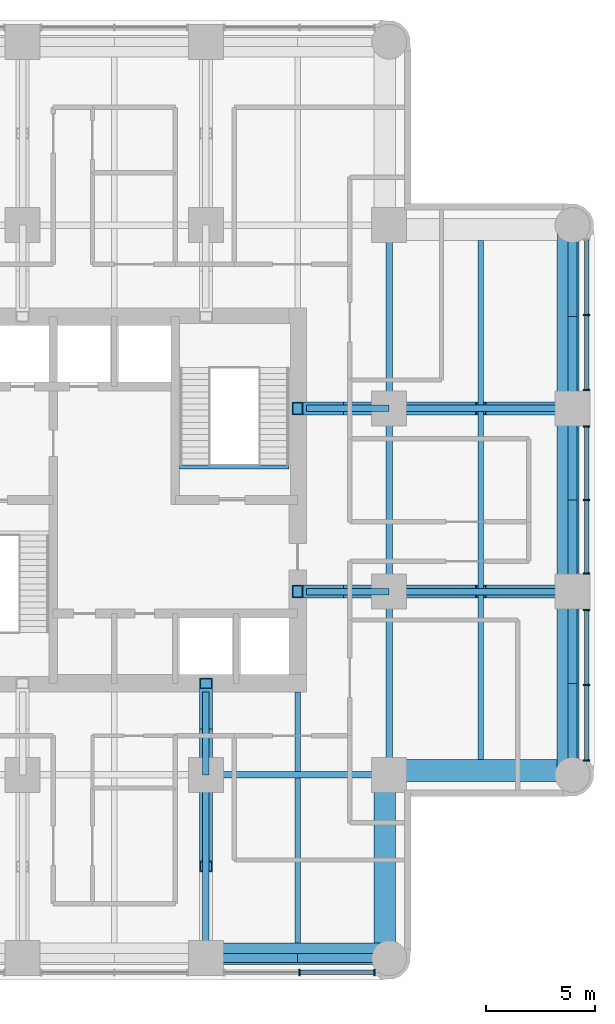
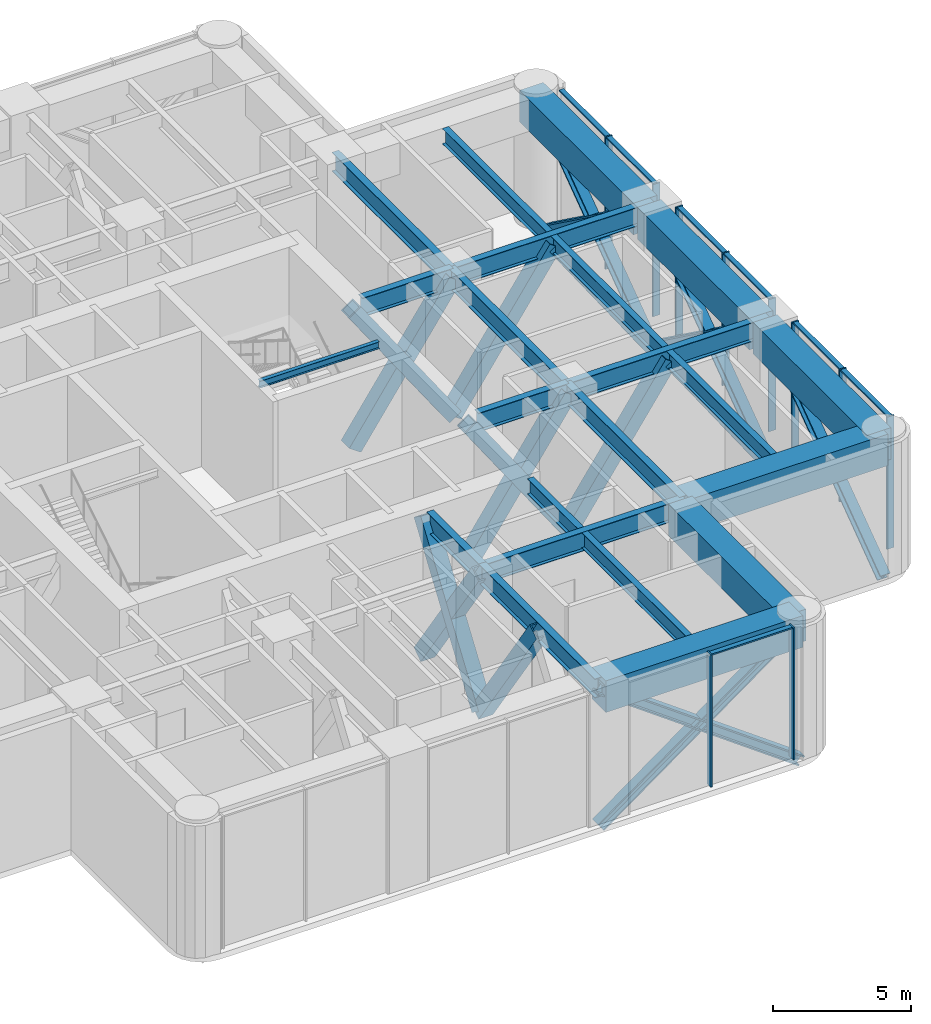
# One storey, part 4 of 12: 36 members, 22 beams, 2 elements without a shape of their own.
"""IFC4 building model written with IfcOpenShell, lengths in metres."""

from ifc_helpers import new_model, si_unit, direction, frame, origin, origin_2d, place, context, subcontext, project, spatial, rectangle, hollow_rectangle, i_section, extrude, material, material_profile, profile_set, type_object, element, aggregate, save


model = new_model("IFC4")

# Units and contexts
model_context = context("Model", 3, precision=1e-05, world=origin(), true_north=direction((0.0, 1.0)))
body_context = subcontext(model_context, "Body", "Model", "MODEL_VIEW")
ifc_project = project(units=[si_unit("LENGTHUNIT", "METRE"), si_unit("AREAUNIT", "SQUARE_METRE"), si_unit("VOLUMEUNIT", "CUBIC_METRE"), si_unit("PLANEANGLEUNIT", "RADIAN"), si_unit("MASSUNIT", "GRAM", prefix="KILO")], contexts=[model_context])

# Site, building, storey
site_placement = place(None, origin())
site = spatial("IfcSite", under=ifc_project, at=site_placement, CompositionType="ELEMENT")
building_placement = place(site_placement, origin())
building = spatial("IfcBuilding", under=site, at=building_placement, Name="Torre Alcanfor", CompositionType="ELEMENT")
storey_placement = place(building_placement, frame((0.0, 0.0, 248.10009765625)))
storey = spatial("IfcBuildingStorey", under=building, at=storey_placement, Name="L65", CompositionType="ELEMENT", Elevation=248.10009765625)

# Members
ifc_material_1 = material(Name="Steel ASTM A992 Grade 50", Category="steel")
ifc_material_profile_1 = material_profile(ifc_material_1, i_section(OverallWidth=0.411376953125, OverallDepth=0.434326171875, WebThickness=0.035888671875, FlangeThickness=0.057373046875, at=origin_2d()), Name="W14x311")
ifc_profile_set_1 = profile_set([ifc_material_profile_1], Name="Steel ASTM A992 Grade 50")
member_type_1 = type_object("IfcMemberType", Name="Belt truss diagonal W14x311", PredefinedType="BRACE", material=ifc_profile_set_1)
for number, where, z_axis, x_axis, name in (
    (1, (50.39990234375, 16.800048828125, -0.650146484375), (0.0, 0.809144712888, 0.587609422665), (-1.0, 0.0, 0.0), "Belt truss L65 E arm panel 1 diagonal A"),
    (2, (50.39990234375, 25.199951171875, -0.650146484375), (0.0, -0.809144712888, 0.587609422665), (1.0, 0.0, 0.0), "Belt truss L65 E arm panel 1 diagonal B"),
):
    element("IfcMember", number, at=place(storey_placement, frame(where, z_axis=z_axis, x_axis=x_axis)), inside=storey, type_object=member_type_1, Name=name, PredefinedType="BRACE", context=body_context, shape_type="SweptSolid", body=[
        extrude(i_section(OverallWidth=0.411376953125, OverallDepth=0.434326171875, WebThickness=0.035888671875, FlangeThickness=0.057373046875, at=origin_2d()), origin(), (0.0, 0.0, 1.0), 10.381103515625),
    ])
for number, where, z_axis, x_axis, name in (
    (3, (50.39990234375, 25.199951171875, -0.650146484375), (0.0, 0.809152832909, 0.587598241144), (-1.0, 0.0, 0.0), "Belt truss L65 E arm panel 2 diagonal A"),
    (4, (50.39990234375, 33.60009765625, -0.650146484375), (0.0, -0.809152832909, 0.587598241144), (1.0, 0.0, 0.0), "Belt truss L65 E arm panel 2 diagonal B"),
):
    element("IfcMember", number, at=place(storey_placement, frame(where, z_axis=z_axis, x_axis=x_axis)), inside=storey, type_object=member_type_1, Name=name, PredefinedType="BRACE", context=body_context, shape_type="SweptSolid", body=[
        extrude(i_section(OverallWidth=0.411376953125, OverallDepth=0.434326171875, WebThickness=0.035888671875, FlangeThickness=0.057373046875, at=origin_2d()), origin(), (0.0, 0.0, 1.0), 10.38134765625),
    ])
for number, where, z_axis, x_axis, name in (
    (5, (50.39990234375, 33.60009765625, -0.650146484375), (0.0, 0.809144712888, 0.587609422665), (-1.0, 0.0, 0.0), "Belt truss L65 E arm panel 3 diagonal A"),
    (6, (50.39990234375, 42.0, -0.650146484375), (0.0, -0.809144712888, 0.587609422665), (1.0, 0.0, 0.0), "Belt truss L65 E arm panel 3 diagonal B"),
    (7, (33.60009765625, 8.39990234375, -0.650146484375), (0.809144712888, 0.0, 0.587609422665), (0.0, 1.0, 0.0), "Belt truss L65 S arm panel 3 diagonal A"),
    (8, (42.0, 8.39990234375, -0.650146484375), (-0.809144712888, 0.0, 0.587609422665), (0.0, -1.0, 0.0), "Belt truss L65 S arm panel 3 diagonal B"),
):
    element("IfcMember", number, at=place(storey_placement, frame(where, z_axis=z_axis, x_axis=x_axis)), inside=storey, type_object=member_type_1, Name=name, PredefinedType="BRACE", context=body_context, shape_type="SweptSolid", body=[
        extrude(i_section(OverallWidth=0.411376953125, OverallDepth=0.434326171875, WebThickness=0.035888671875, FlangeThickness=0.057373046875, at=origin_2d()), origin(), (0.0, 0.0, 1.0), 10.381103515625),
    ])

# Curtain wall, members
ifc_material_2 = material(Name="Aluminium and glass", Category="aluminium")
curtain_wall_type = type_object("IfcCurtainWallType", Name="CW-D plant floor louvre screen", PredefinedType="NOTDEFINED", material=ifc_material_2)
curtain_wall_1_placement = place(storey_placement, origin())
curtain_wall_1 = element("IfcCurtainWall", 9, at=curtain_wall_1_placement, inside=storey, type_object=curtain_wall_type, Name="Curtain wall CW-D L65 5", PredefinedType="NOTDEFINED")
ifc_material_3 = material(Name="Extruded aluminium", Category="aluminium")
ifc_material_profile_2 = material_profile(ifc_material_3, rectangle(XDim=0.300048828125, YDim=0.06494140625, at=origin_2d()), Name="CW-D mullion 65x300")
ifc_profile_set_2 = profile_set([ifc_material_profile_2], Name="Extruded aluminium")
member_type_2 = type_object("IfcMemberType", Name="CW-D mullion 65x300", PredefinedType="MULLION", material=ifc_profile_set_2)
member_1_placement = place(storey_placement, frame((37.88720703125, 7.75, 0.0), z_axis=(0.0, 0.0, 1.0), x_axis=(0.0, 1.0, 0.0)))
member_1 = element("IfcMember", 10, at=member_1_placement, type_object=member_type_2, Name="CW-D mullion 3.2", PredefinedType="MULLION", context=body_context, shape_type="SweptSolid", body=[
    extrude(rectangle(XDim=0.300048828125, YDim=0.06494140625, at=origin_2d()), origin(), (0.0, 0.0, 1.0), 5.849853515625),
])
member_2_placement = place(storey_placement, frame((41.336669921875, 7.75, 0.0), z_axis=(0.0, 0.0, 1.0), x_axis=(0.0, 1.0, 0.0)))
member_2 = element("IfcMember", 11, at=member_2_placement, type_object=member_type_2, Name="CW-D mullion 3.3", PredefinedType="MULLION", context=body_context, shape_type="SweptSolid", body=[
    extrude(rectangle(XDim=0.300048828125, YDim=0.06494140625, at=origin_2d()), origin(), (0.0, 0.0, 1.0), 5.849853515625),
])

curtain_wall_2_placement = place(storey_placement, origin())
curtain_wall_2 = element("IfcCurtainWall", 12, at=curtain_wall_2_placement, inside=storey, type_object=curtain_wall_type, Name="Curtain wall CW-D L65 8", PredefinedType="NOTDEFINED")
member_3_placement = place(storey_placement, frame((51.050048828125, 17.46337890625, 0.0), z_axis=(0.0, 0.0, 1.0), x_axis=(-1.0, 0.0, 0.0)))
member_3 = element("IfcMember", 13, at=member_3_placement, type_object=member_type_2, Name="CW-D mullion 1.1", PredefinedType="MULLION", context=body_context, shape_type="SweptSolid", body=[
    extrude(rectangle(XDim=0.300048828125, YDim=0.06494140625, at=origin_2d()), origin(), (0.0, 0.0, 1.0), 5.849853515625),
])
member_4_placement = place(storey_placement, frame((51.050048828125, 20.912841796875, 0.0), z_axis=(0.0, 0.0, 1.0), x_axis=(-1.0, 0.0, 0.0)))
member_4 = element("IfcMember", 14, at=member_4_placement, type_object=member_type_2, Name="CW-D mullion 1.2", PredefinedType="MULLION", context=body_context, shape_type="SweptSolid", body=[
    extrude(rectangle(XDim=0.300048828125, YDim=0.06494140625, at=origin_2d()), origin(), (0.0, 0.0, 1.0), 5.849853515625),
])
member_5_placement = place(storey_placement, frame((51.050048828125, 24.362548828125, 0.0), z_axis=(0.0, 0.0, 1.0), x_axis=(-1.0, 0.0, 0.0)))
member_5 = element("IfcMember", 15, at=member_5_placement, type_object=member_type_2, Name="CW-D mullion 1.3", PredefinedType="MULLION", context=body_context, shape_type="SweptSolid", body=[
    extrude(rectangle(XDim=0.300048828125, YDim=0.06494140625, at=origin_2d()), origin(), (0.0, 0.0, 1.0), 5.849853515625),
])
member_6_placement = place(storey_placement, frame((51.050048828125, 26.03759765625, 0.0), z_axis=(0.0, 0.0, 1.0), x_axis=(-1.0, 0.0, 0.0)))
member_6 = element("IfcMember", 16, at=member_6_placement, type_object=member_type_2, Name="CW-D mullion 2.1", PredefinedType="MULLION", context=body_context, shape_type="SweptSolid", body=[
    extrude(rectangle(XDim=0.300048828125, YDim=0.06494140625, at=origin_2d()), origin(), (0.0, 0.0, 1.0), 5.849853515625),
])
member_7_placement = place(storey_placement, frame((51.050048828125, 29.39990234375, 0.0), z_axis=(0.0, 0.0, 1.0), x_axis=(-1.0, 0.0, 0.0)))
member_7 = element("IfcMember", 17, at=member_7_placement, type_object=member_type_2, Name="CW-D mullion 2.2", PredefinedType="MULLION", context=body_context, shape_type="SweptSolid", body=[
    extrude(rectangle(XDim=0.300048828125, YDim=0.06494140625, at=origin_2d()), origin(), (0.0, 0.0, 1.0), 5.849853515625),
])
member_8_placement = place(storey_placement, frame((51.050048828125, 32.762451171875, 0.0), z_axis=(0.0, 0.0, 1.0), x_axis=(-1.0, 0.0, 0.0)))
member_8 = element("IfcMember", 18, at=member_8_placement, type_object=member_type_2, Name="CW-D mullion 2.3", PredefinedType="MULLION", context=body_context, shape_type="SweptSolid", body=[
    extrude(rectangle(XDim=0.300048828125, YDim=0.06494140625, at=origin_2d()), origin(), (0.0, 0.0, 1.0), 5.849853515625),
])
member_9_placement = place(storey_placement, frame((51.050048828125, 34.4375, 0.0), z_axis=(0.0, 0.0, 1.0), x_axis=(-1.0, 0.0, 0.0)))
member_9 = element("IfcMember", 19, at=member_9_placement, type_object=member_type_2, Name="CW-D mullion 3.1", PredefinedType="MULLION", context=body_context, shape_type="SweptSolid", body=[
    extrude(rectangle(XDim=0.300048828125, YDim=0.06494140625, at=origin_2d()), origin(), (0.0, 0.0, 1.0), 5.849853515625),
])
member_10_placement = place(storey_placement, frame((51.050048828125, 37.88720703125, 0.0), z_axis=(0.0, 0.0, 1.0), x_axis=(-1.0, 0.0, 0.0)))
member_10 = element("IfcMember", 20, at=member_10_placement, type_object=member_type_2, Name="CW-D mullion 3.2", PredefinedType="MULLION", context=body_context, shape_type="SweptSolid", body=[
    extrude(rectangle(XDim=0.300048828125, YDim=0.06494140625, at=origin_2d()), origin(), (0.0, 0.0, 1.0), 5.849853515625),
])

# Member
ifc_material_4 = material(Name="Extruded aluminium", Category="aluminium")
ifc_material_profile_3 = material_profile(ifc_material_4, rectangle(XDim=0.199951171875, YDim=0.06494140625, at=origin_2d()), Name="CW-D transom 200x65")
ifc_profile_set_3 = profile_set([ifc_material_profile_3], Name="Extruded aluminium")
member_type_3 = type_object("IfcMemberType", Name="CW-D transom 65x200", PredefinedType="USERDEFINED", material=ifc_profile_set_3)
member_11_placement = place(storey_placement, frame((37.919677734375, 7.75, 5.8173828125), z_axis=(1.0, 0.0, 0.0), x_axis=(0.0, 1.0, 0.0)))
member_11 = element("IfcMember", 21, at=member_11_placement, type_object=member_type_3, Name="CW-D transom 3.2.2", ObjectType="TRANSOM", PredefinedType="USERDEFINED", context=body_context, shape_type="SweptSolid", body=[
    extrude(rectangle(XDim=0.199951171875, YDim=0.06494140625, at=origin_2d()), origin(), (0.0, 0.0, 1.0), 3.384521484375),
])

aggregate(curtain_wall_1, [member_1, member_2, member_11])

member_12_placement = place(storey_placement, frame((51.050048828125, 17.495849609375, 5.8173828125), z_axis=(0.0, 1.0, 0.0), x_axis=(-1.0, 0.0, 0.0)))
member_12 = element("IfcMember", 22, at=member_12_placement, type_object=member_type_3, Name="CW-D transom 1.1.2", ObjectType="TRANSOM", PredefinedType="USERDEFINED", context=body_context, shape_type="SweptSolid", body=[
    extrude(rectangle(XDim=0.199951171875, YDim=0.06494140625, at=origin_2d()), origin(), (0.0, 0.0, 1.0), 3.384521484375),
])

member_13_placement = place(storey_placement, frame((51.050048828125, 20.9453125, 5.8173828125), z_axis=(0.0, 1.0, 0.0), x_axis=(-1.0, 0.0, 0.0)))
member_13 = element("IfcMember", 23, at=member_13_placement, type_object=member_type_3, Name="CW-D transom 1.2.2", ObjectType="TRANSOM", PredefinedType="USERDEFINED", context=body_context, shape_type="SweptSolid", body=[
    extrude(rectangle(XDim=0.199951171875, YDim=0.06494140625, at=origin_2d()), origin(), (0.0, 0.0, 1.0), 3.384765625),
])

member_14_placement = place(storey_placement, frame((51.050048828125, 26.070068359375, 5.8173828125), z_axis=(0.0, 1.0, 0.0), x_axis=(-1.0, 0.0, 0.0)))
member_14 = element("IfcMember", 24, at=member_14_placement, type_object=member_type_3, Name="CW-D transom 2.1.2", ObjectType="TRANSOM", PredefinedType="USERDEFINED", context=body_context, shape_type="SweptSolid", body=[
    extrude(rectangle(XDim=0.199951171875, YDim=0.06494140625, at=origin_2d()), origin(), (0.0, 0.0, 1.0), 3.29736328125),
])

member_15_placement = place(storey_placement, frame((51.050048828125, 29.4326171875, 5.8173828125), z_axis=(0.0, 1.0, 0.0), x_axis=(-1.0, 0.0, 0.0)))
member_15 = element("IfcMember", 25, at=member_15_placement, type_object=member_type_3, Name="CW-D transom 2.2.2", ObjectType="TRANSOM", PredefinedType="USERDEFINED", context=body_context, shape_type="SweptSolid", body=[
    extrude(rectangle(XDim=0.199951171875, YDim=0.06494140625, at=origin_2d()), origin(), (0.0, 0.0, 1.0), 3.29736328125),
])

member_16_placement = place(storey_placement, frame((51.050048828125, 34.469970703125, 5.8173828125), z_axis=(0.0, 1.0, 0.0), x_axis=(-1.0, 0.0, 0.0)))
member_16 = element("IfcMember", 26, at=member_16_placement, type_object=member_type_3, Name="CW-D transom 3.1.2", ObjectType="TRANSOM", PredefinedType="USERDEFINED", context=body_context, shape_type="SweptSolid", body=[
    extrude(rectangle(XDim=0.199951171875, YDim=0.06494140625, at=origin_2d()), origin(), (0.0, 0.0, 1.0), 3.384521484375),
])

member_17_placement = place(storey_placement, frame((51.050048828125, 37.919677734375, 5.8173828125), z_axis=(0.0, 1.0, 0.0), x_axis=(-1.0, 0.0, 0.0)))
member_17 = element("IfcMember", 27, at=member_17_placement, type_object=member_type_3, Name="CW-D transom 3.2.2", ObjectType="TRANSOM", PredefinedType="USERDEFINED", context=body_context, shape_type="SweptSolid", body=[
    extrude(rectangle(XDim=0.199951171875, YDim=0.06494140625, at=origin_2d()), origin(), (0.0, 0.0, 1.0), 3.384521484375),
])

aggregate(curtain_wall_2, [member_3, member_4, member_5, member_12, member_13, member_6, member_7, member_8, member_14, member_15, member_9, member_10, member_16, member_17])

# Beams
ifc_material_5 = material(Name="Steel ASTM A992 Grade 50", Category="steel")
ifc_material_profile_4 = material_profile(ifc_material_5, i_section(OverallWidth=0.2919921875, OverallDepth=0.8408203125, WebThickness=0.0146484375, FlangeThickness=0.021728515625, at=origin_2d()), Name="W33x130")
ifc_profile_set_4 = profile_set([ifc_material_profile_4], Name="Steel ASTM A992 Grade 50")
beam_type_1 = type_object("IfcBeamType", Name="Girder W33x130", PredefinedType="BEAM", material=ifc_profile_set_4)
for number, where, z_axis, x_axis, name in (
    (28, (33.60009765625, 16.800048828125, 5.429443359375), (1.0, 0.0, 0.0), (0.0, 1.0, 0.0), "Beam 5E-6E under L66"),
    (29, (42.0, 25.199951171875, 5.429443359375), (1.0, 0.0, 0.0), (0.0, 1.0, 0.0), "Beam 6F-7F under L66"),
    (30, (42.0, 33.60009765625, 5.429443359375), (1.0, 0.0, 0.0), (0.0, 1.0, 0.0), "Beam 6G-7G under L66"),
):
    element("IfcBeam", number, at=place(storey_placement, frame(where, z_axis=z_axis, x_axis=x_axis)), inside=storey, type_object=beam_type_1, Name=name, PredefinedType="BEAM", context=body_context, shape_type="SweptSolid", body=[
        extrude(i_section(OverallWidth=0.2919921875, OverallDepth=0.8408203125, WebThickness=0.0146484375, FlangeThickness=0.021728515625, at=origin_2d()), origin(), (0.0, 0.0, 1.0), 8.39990234375),
    ])
beam_1_placement = place(storey_placement, frame((33.60009765625, 8.39990234375, 5.429443359375), z_axis=(0.0, 1.0, 0.0), x_axis=(-1.0, 0.0, 0.0)))
element("IfcBeam", 31, at=beam_1_placement, inside=storey, type_object=beam_type_1, Name="Beam 5D-5E under L66", PredefinedType="BEAM", context=body_context, shape_type="SweptSolid", body=[
    extrude(i_section(OverallWidth=0.2919921875, OverallDepth=0.8408203125, WebThickness=0.0146484375, FlangeThickness=0.021728515625, at=origin_2d()), origin(), (0.0, 0.0, 1.0), 8.400146484375),
])
beam_2_placement = place(storey_placement, frame((42.0, 16.800048828125, 5.429443359375), z_axis=(0.0, 1.0, 0.0), x_axis=(-1.0, 0.0, 0.0)))
element("IfcBeam", 32, at=beam_2_placement, inside=storey, type_object=beam_type_1, Name="Beam 6E-6F under L66", PredefinedType="BEAM", context=body_context, shape_type="SweptSolid", body=[
    extrude(i_section(OverallWidth=0.2919921875, OverallDepth=0.8408203125, WebThickness=0.0146484375, FlangeThickness=0.021728515625, at=origin_2d()), origin(), (0.0, 0.0, 1.0), 8.39990234375),
])
beam_3_placement = place(storey_placement, frame((42.0, 25.199951171875, 5.429443359375), z_axis=(0.0, 1.0, 0.0), x_axis=(-1.0, 0.0, 0.0)))
element("IfcBeam", 33, at=beam_3_placement, inside=storey, type_object=beam_type_1, Name="Beam 6F-6G under L66", PredefinedType="BEAM", context=body_context, shape_type="SweptSolid", body=[
    extrude(i_section(OverallWidth=0.2919921875, OverallDepth=0.8408203125, WebThickness=0.0146484375, FlangeThickness=0.021728515625, at=origin_2d()), origin(), (0.0, 0.0, 1.0), 8.400146484375),
])
beam_4_placement = place(storey_placement, frame((42.0, 33.60009765625, 5.429443359375), z_axis=(0.0, 1.0, 0.0), x_axis=(-1.0, 0.0, 0.0)))
element("IfcBeam", 34, at=beam_4_placement, inside=storey, type_object=beam_type_1, Name="Beam 6G-6H under L66", PredefinedType="BEAM", context=body_context, shape_type="SweptSolid", body=[
    extrude(i_section(OverallWidth=0.2919921875, OverallDepth=0.8408203125, WebThickness=0.0146484375, FlangeThickness=0.021728515625, at=origin_2d()), origin(), (0.0, 0.0, 1.0), 8.39990234375),
])
ifc_material_6 = material(Name="Steel ASTM A992 Grade 50", Category="steel")
ifc_material_profile_5 = material_profile(ifc_material_6, i_section(OverallWidth=0.2919921875, OverallDepth=0.8408203125, WebThickness=0.0146484375, FlangeThickness=0.021728515625, at=origin_2d()), Name="W33x130")
ifc_profile_set_5 = profile_set([ifc_material_profile_5], Name="Steel ASTM A992 Grade 50")
beam_type_2 = type_object("IfcBeamType", Name="Girder, part bay W33x130", PredefinedType="BEAM", material=ifc_profile_set_5)
for number, where, z_axis, x_axis, name in (
    (35, (33.60009765625, 16.800048828125, 5.429443359375), (0.0, 1.0, 0.0), (-1.0, 0.0, 0.0), "Beam 5E-520_6 under L66"),
    (36, (42.0, 25.199951171875, 5.429443359375), (-1.0, 0.0, 0.0), (0.0, -1.0, 0.0), "Beam 6F-38_2F under L66"),
    (37, (42.0, 33.60009765625, 5.429443359375), (-1.0, 0.0, 0.0), (0.0, -1.0, 0.0), "Beam 6G-38_2G under L66"),
):
    element("IfcBeam", number, at=place(storey_placement, frame(where, z_axis=z_axis, x_axis=x_axis)), inside=storey, type_object=beam_type_2, Name=name, PredefinedType="BEAM", context=body_context, shape_type="SweptSolid", body=[
        extrude(i_section(OverallWidth=0.2919921875, OverallDepth=0.8408203125, WebThickness=0.0146484375, FlangeThickness=0.021728515625, at=origin_2d()), origin(), (0.0, 0.0, 1.0), 3.800048828125),
    ])

# Members
ifc_material_7 = material(Name="Steel ASTM A572 Grade 50 plate", Category="steel")
ifc_material_profile_6 = material_profile(ifc_material_7, hollow_rectangle(XDim=0.60009765625, YDim=0.60009765625, WallThickness=0.050048828125, at=origin_2d()), Name="BOX 600x600x50")
ifc_profile_set_6 = profile_set([ifc_material_profile_6], Name="Steel ASTM A572 Grade 50 plate")
member_type_4 = type_object("IfcMemberType", Name="Outrigger truss diagonal BOx600x600x50", PredefinedType="BRACE", material=ifc_profile_set_6)
for number, where, z_axis, x_axis, name in (
    (38, (37.800048828125, 25.199951171875, -0.650146484375), (0.567091101321, 0.0, 0.823655075139), (0.0, 1.0, 0.0), "Outrigger truss L65 E arm grid 25.2 panel 1 diagonal A"),
    (39, (42.0, 25.199951171875, -0.650146484375), (-0.567091101321, 0.0, 0.823655075139), (0.0, -1.0, 0.0), "Outrigger truss L65 E arm grid 25.2 panel 1 diagonal B"),
    (40, (42.0, 25.199951171875, -0.650146484375), (0.567091101321, 0.0, 0.823655075139), (0.0, 1.0, 0.0), "Outrigger truss L65 E arm grid 25.2 panel 2 diagonal A"),
    (41, (50.39990234375, 25.199951171875, -0.650146484375), (-0.567091101321, 0.0, 0.823655075139), (0.0, -1.0, 0.0), "Outrigger truss L65 E arm grid 25.2 panel 2 diagonal B"),
    (42, (37.800048828125, 33.60009765625, -0.650146484375), (0.567091101321, 0.0, 0.823655075139), (0.0, 1.0, 0.0), "Outrigger truss L65 E arm grid 33.6 panel 1 diagonal A"),
    (43, (42.0, 33.60009765625, -0.650146484375), (-0.567091101321, 0.0, 0.823655075139), (0.0, -1.0, 0.0), "Outrigger truss L65 E arm grid 33.6 panel 1 diagonal B"),
    (44, (42.0, 33.60009765625, -0.650146484375), (0.567091101321, 0.0, 0.823655075139), (0.0, 1.0, 0.0), "Outrigger truss L65 E arm grid 33.6 panel 2 diagonal A"),
    (45, (50.39990234375, 33.60009765625, -0.650146484375), (-0.567091101321, 0.0, 0.823655075139), (0.0, -1.0, 0.0), "Outrigger truss L65 E arm grid 33.6 panel 2 diagonal B"),
    (46, (33.60009765625, 21.0, -0.650146484375), (0.0, -0.567091101321, 0.823655075139), (1.0, 0.0, 0.0), "Outrigger truss L65 S arm grid 33.6 panel 1 diagonal A"),
    (47, (33.60009765625, 16.800048828125, -0.650146484375), (0.0, 0.567091101321, 0.823655075139), (-1.0, 0.0, 0.0), "Outrigger truss L65 S arm grid 33.6 panel 1 diagonal B"),
    (48, (33.60009765625, 16.800048828125, -0.650146484375), (0.0, -0.567091101321, 0.823655075139), (1.0, 0.0, 0.0), "Outrigger truss L65 S arm grid 33.6 panel 2 diagonal A"),
):
    element("IfcMember", number, at=place(storey_placement, frame(where, z_axis=z_axis, x_axis=x_axis)), inside=storey, type_object=member_type_4, Name=name, PredefinedType="BRACE", context=body_context, shape_type="SweptSolid", body=[
        extrude(hollow_rectangle(XDim=0.60009765625, YDim=0.60009765625, WallThickness=0.050048828125, at=origin_2d()), origin(), (0.0, 0.0, 1.0), 7.40625),
    ])

# Beams
ifc_material_8 = material(Name="Concrete f'c 70 MPa", Category="concrete")
ifc_material_profile_7 = material_profile(ifc_material_8, rectangle(XDim=1.0, YDim=1.39990234375, at=origin_2d()), Name="1000x1400")
ifc_profile_set_7 = profile_set([ifc_material_profile_7], Name="Concrete f'c 70 MPa")
beam_type_3 = type_object("IfcBeamType", Name="RC perimeter beam 1000x1400", PredefinedType="BEAM", material=ifc_profile_set_7)
for number, where, z_axis, x_axis, name in (
    (49, (33.74609375, 8.60009765625, 5.14990234375), (1.0, 0.0, 0.0), (0.0, 1.0, 0.0), "Beam 5D-6D under L66"),
    (50, (42.14599609375, 17.0, 5.14990234375), (1.0, 0.0, 0.0), (0.0, 1.0, 0.0), "Beam 6E-7E under L66"),
):
    element("IfcBeam", number, at=place(storey_placement, frame(where, z_axis=z_axis, x_axis=x_axis)), inside=storey, type_object=beam_type_3, Name=name, PredefinedType="BEAM", context=body_context, shape_type="SweptSolid", body=[
        extrude(rectangle(XDim=1.0, YDim=1.39990234375, at=origin_2d()), origin(), (0.0, 0.0, 1.0), 8.25390625),
    ])
beam_5_placement = place(storey_placement, frame((41.800048828125, 8.39990234375, 5.14990234375), z_axis=(0.0, 1.0, 0.0), x_axis=(-1.0, 0.0, 0.0)))
element("IfcBeam", 51, at=beam_5_placement, inside=storey, type_object=beam_type_3, Name="Beam 6D-6E under L66", PredefinedType="BEAM", context=body_context, shape_type="SweptSolid", body=[
    extrude(rectangle(XDim=1.0, YDim=1.39990234375, at=origin_2d()), origin(), (0.0, 0.0, 1.0), 8.254150390625),
])
beam_6_placement = place(storey_placement, frame((50.199951171875, 16.800048828125, 5.14990234375), z_axis=(0.0, 1.0, 0.0), x_axis=(-1.0, 0.0, 0.0)))
element("IfcBeam", 52, at=beam_6_placement, inside=storey, type_object=beam_type_3, Name="Beam 7E-7F under L66", PredefinedType="BEAM", context=body_context, shape_type="SweptSolid", body=[
    extrude(rectangle(XDim=1.0, YDim=1.39990234375, at=origin_2d()), origin(), (0.0, 0.0, 1.0), 8.25390625),
])
beam_7_placement = place(storey_placement, frame((50.199951171875, 25.345947265625, 5.14990234375), z_axis=(0.0, 1.0, 0.0), x_axis=(-1.0, 0.0, 0.0)))
element("IfcBeam", 53, at=beam_7_placement, inside=storey, type_object=beam_type_3, Name="Beam 7F-7G under L66", PredefinedType="BEAM", context=body_context, shape_type="SweptSolid", body=[
    extrude(rectangle(XDim=1.0, YDim=1.39990234375, at=origin_2d()), origin(), (0.0, 0.0, 1.0), 8.108154296875),
])
beam_8_placement = place(storey_placement, frame((50.199951171875, 33.74609375, 5.14990234375), z_axis=(0.0, 1.0, 0.0), x_axis=(-1.0, 0.0, 0.0)))
element("IfcBeam", 54, at=beam_8_placement, inside=storey, type_object=beam_type_3, Name="Beam 7G-7H under L66", PredefinedType="BEAM", context=body_context, shape_type="SweptSolid", body=[
    extrude(rectangle(XDim=1.0, YDim=1.39990234375, at=origin_2d()), origin(), (0.0, 0.0, 1.0), 8.25390625),
])
ifc_material_9 = material(Name="Steel ASTM A992 Grade 50", Category="steel")
ifc_material_profile_8 = material_profile(ifc_material_9, i_section(OverallWidth=0.25390625, OverallDepth=0.683349609375, WebThickness=0.012451171875, FlangeThickness=0.01904296875, at=origin_2d()), Name="W27x94")
ifc_profile_set_8 = profile_set([ifc_material_profile_8], Name="Steel ASTM A992 Grade 50")
beam_type_4 = type_object("IfcBeamType", Name="Secondary beam W27x94", PredefinedType="BEAM", material=ifc_profile_set_8)
for number, where, z_axis, x_axis, name in (
    (55, (37.800048828125, 9.10009765625, 5.50830078125), (0.0, 1.0, 0.0), (-1.0, 0.0, 0.0), "Beam 37_8D-37_8E under L66"),
    (56, (46.199951171875, 17.5, 5.50830078125), (0.0, 1.0, 0.0), (-1.0, 0.0, 0.0), "Beam 46_2E-46_2F under L66"),
):
    element("IfcBeam", number, at=place(storey_placement, frame(where, z_axis=z_axis, x_axis=x_axis)), inside=storey, type_object=beam_type_4, Name=name, PredefinedType="BEAM", context=body_context, shape_type="SweptSolid", body=[
        extrude(i_section(OverallWidth=0.25390625, OverallDepth=0.683349609375, WebThickness=0.012451171875, FlangeThickness=0.01904296875, at=origin_2d()), origin(), (0.0, 0.0, 1.0), 7.553955078125),
    ])
beam_9_placement = place(storey_placement, frame((46.199951171875, 25.345947265625, 5.50830078125), z_axis=(0.0, 1.0, 0.0), x_axis=(-1.0, 0.0, 0.0)))
element("IfcBeam", 57, at=beam_9_placement, inside=storey, type_object=beam_type_4, Name="Beam 46_2F-46_2G under L66", PredefinedType="BEAM", context=body_context, shape_type="SweptSolid", body=[
    extrude(i_section(OverallWidth=0.25390625, OverallDepth=0.683349609375, WebThickness=0.012451171875, FlangeThickness=0.01904296875, at=origin_2d()), origin(), (0.0, 0.0, 1.0), 8.108154296875),
])
beam_10_placement = place(storey_placement, frame((46.199951171875, 33.74609375, 5.50830078125), z_axis=(0.0, 1.0, 0.0), x_axis=(-1.0, 0.0, 0.0)))
element("IfcBeam", 58, at=beam_10_placement, inside=storey, type_object=beam_type_4, Name="Beam 46_2G-46_2H under L66", PredefinedType="BEAM", context=body_context, shape_type="SweptSolid", body=[
    extrude(i_section(OverallWidth=0.25390625, OverallDepth=0.683349609375, WebThickness=0.012451171875, FlangeThickness=0.01904296875, at=origin_2d()), origin(), (0.0, 0.0, 1.0), 7.553955078125),
])
ifc_material_10 = material(Name="Steel ASTM A992 Grade 50", Category="steel")
ifc_material_profile_9 = material_profile(ifc_material_10, i_section(OverallWidth=0.25390625, OverallDepth=0.683349609375, WebThickness=0.012451171875, FlangeThickness=0.01904296875, at=origin_2d()), Name="W27x94")
ifc_profile_set_9 = profile_set([ifc_material_profile_9], Name="Steel ASTM A992 Grade 50")
beam_type_5 = type_object("IfcBeamType", Name="Secondary beam, part bay W27x94", PredefinedType="BEAM", material=ifc_profile_set_9)
beam_11_placement = place(storey_placement, frame((37.800048828125, 16.946044921875, 5.50830078125), z_axis=(0.0, 1.0, 0.0), x_axis=(-1.0, 0.0, 0.0)))
element("IfcBeam", 59, at=beam_11_placement, inside=storey, type_object=beam_type_5, Name="Beam 37_8E-37_820_6 under L66", PredefinedType="BEAM", context=body_context, shape_type="SweptSolid", body=[
    extrude(i_section(OverallWidth=0.25390625, OverallDepth=0.683349609375, WebThickness=0.012451171875, FlangeThickness=0.01904296875, at=origin_2d()), origin(), (0.0, 0.0, 1.0), 3.654052734375),
])
ifc_material_11 = material(Name="Steel ASTM A992 Grade 50", Category="steel")
ifc_material_profile_10 = material_profile(ifc_material_11, i_section(OverallWidth=0.164794921875, OverallDepth=0.309814453125, WebThickness=0.005859375, FlangeThickness=0.009765625, at=origin_2d()), Name="W12x26")
ifc_profile_set_10 = profile_set([ifc_material_profile_10], Name="Steel ASTM A992 Grade 50")
beam_type_6 = type_object("IfcBeamType", Name="Stair landing beam W12x26", PredefinedType="BEAM", material=ifc_profile_set_10)
beam_12_placement = place(storey_placement, frame((32.39990234375, 30.91259765625, 5.64501953125), z_axis=(1.0, 0.0, 0.0), x_axis=(0.0, 1.0, 0.0)))
element("IfcBeam", 60, at=beam_12_placement, inside=storey, type_object=beam_type_6, Name="Landing trimmer S2 L66", PredefinedType="BEAM", context=body_context, shape_type="SweptSolid", body=[
    extrude(i_section(OverallWidth=0.164794921875, OverallDepth=0.309814453125, WebThickness=0.005859375, FlangeThickness=0.009765625, at=origin_2d()), origin(), (0.0, 0.0, 1.0), 5.0),
])

save(model, "model.ifc")
